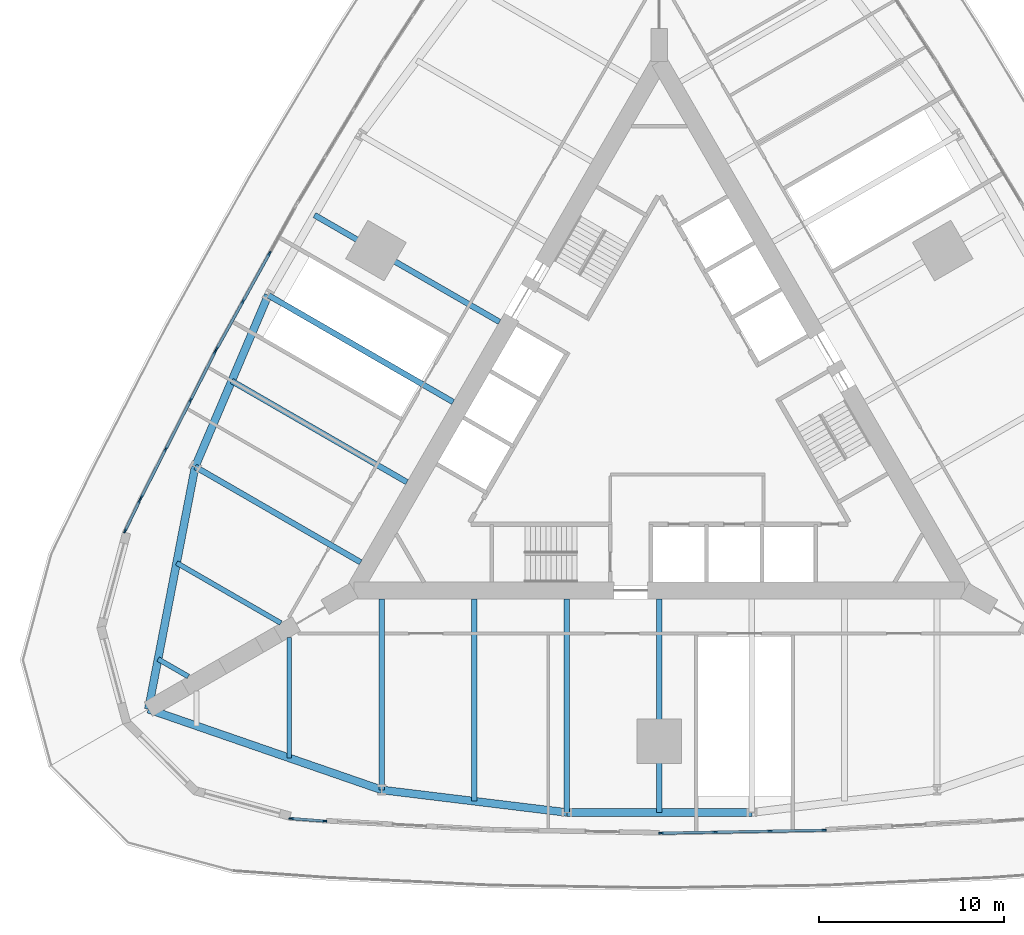
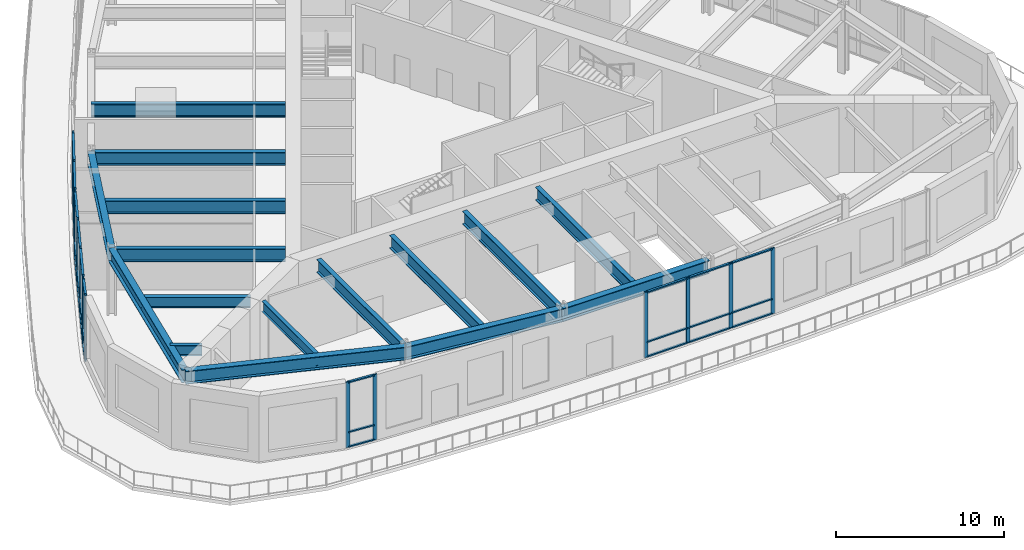
# One storey, part 2 of 13: 45 members, 16 beams, 5 elements without a shape of their own.
"""IFC4 building model written with IfcOpenShell, lengths in metres."""

import ifcopenshell
import ifcopenshell.guid

model = None  # the IFC model being written
_history = None  # IfcOwnerHistory: only IFC2X3 demands one
_inside = {}  # id of a spatial element -> (the spatial element, [elements in it])
_under = {}  # id of a project, library or spatial element -> (it, [spatial elements below it])
_declared = {}  # id of a project -> (the project, [libraries it declares])
_typed = {}  # id of a type object -> (the type object, [elements of that type])
_made_of = {}  # id of a material, layer set ... -> (it, [elements and type objects made of it])


def new_model(schema):
    """Start an empty IFC model of exactly this schema.

    Asked for "IFC4X3", IfcOpenShell would pick the latest addendum, in which some entities
    have other attributes; the version numbers below select the first issue.
    IFC2X3 requires an IfcOwnerHistory on every rooted entity: one is made here for all.
    """
    global model, _history
    if schema == "IFC4X3":
        model = ifcopenshell.file(schema_version=(4, 3, 0, 0))
    else:
        model = ifcopenshell.file(schema=schema)
    _inside.clear()
    _under.clear()
    _declared.clear()
    _typed.clear()
    _made_of.clear()
    _history = None
    if model.schema == "IFC2X3":
        org = make("IfcOrganization", Name="unknown")
        user = make(
            "IfcPersonAndOrganization",
            ThePerson=make("IfcPerson", FamilyName="unknown"),
            TheOrganization=org,
        )
        app = make(
            "IfcApplication",
            ApplicationDeveloper=org,
            Version="unknown",
            ApplicationFullName="unknown",
            ApplicationIdentifier="unknown",
        )
        _history = make(
            "IfcOwnerHistory",
            OwningUser=user,
            OwningApplication=app,
            ChangeAction="ADDED",
            CreationDate=0,
        )
    return model


def make(cls, **values):
    """One entity of the class cls with the attributes given. An attribute that is None is left unset."""
    return model.create_entity(
        cls, **{name: value for name, value in values.items() if value is not None}
    )


def rooted(cls, **values):
    """An entity with a GlobalId (a new one), such as an element, a storey or a relation."""
    return make(cls, GlobalId=ifcopenshell.guid.new(), OwnerHistory=_history, **values)


def si_unit(unit_type, name, prefix=None):
    """IfcSIUnit, for example si_unit("LENGTHUNIT", "METRE", prefix="MILLI")."""
    return make("IfcSIUnit", UnitType=unit_type, Prefix=prefix, Name=name)


def assignment(units):
    """IfcUnitAssignment: the units of a project."""
    return None if units is None else make("IfcUnitAssignment", Units=units)


def point(xyz):
    """IfcCartesianPoint."""
    return None if xyz is None else make("IfcCartesianPoint", Coordinates=xyz)


def direction(xyz):
    """IfcDirection."""
    return None if xyz is None else make("IfcDirection", DirectionRatios=xyz)


def frame(location, z_axis=None, x_axis=None):
    """IfcAxis2Placement3D, a coordinate frame: its origin and axes. An axis left out is left unset."""
    return make(
        "IfcAxis2Placement3D",
        Location=point(location),
        Axis=direction(z_axis),
        RefDirection=direction(x_axis),
    )


def frame_2d(location, x_axis=None):
    """IfcAxis2Placement2D, a coordinate frame in the plane: its origin and x axis."""
    return make(
        "IfcAxis2Placement2D", Location=point(location), RefDirection=direction(x_axis)
    )


def origin():
    """The frame at (0, 0, 0) with its axes left unset."""
    return frame((0.0, 0.0, 0.0))


def origin_2d():
    """The frame at (0, 0) in the plane with its x axis left unset."""
    return frame_2d((0.0, 0.0))


def place(relative_to, where):
    """IfcLocalPlacement: puts the frame where relative to a parent placement (None: the world)."""
    return make(
        "IfcLocalPlacement", PlacementRelTo=relative_to, RelativePlacement=where
    )


def context(
    kind, dimensions, precision=None, world=None, true_north=None, identifier=None
):
    """IfcGeometricRepresentationContext, for example the 3D "Model" context."""
    return make(
        "IfcGeometricRepresentationContext",
        ContextIdentifier=identifier,
        ContextType=kind,
        CoordinateSpaceDimension=dimensions,
        Precision=precision,
        WorldCoordinateSystem=world,
        TrueNorth=true_north,
    )


def subcontext(parent, identifier, kind, view, scale=None):
    """IfcGeometricRepresentationSubContext, for example "Body" below "Model"."""
    return make(
        "IfcGeometricRepresentationSubContext",
        ContextIdentifier=identifier,
        ContextType=kind,
        ParentContext=parent,
        TargetScale=scale,
        TargetView=view,
    )


def project(units=None, contexts=None):
    """IfcProject with its units and contexts."""
    return rooted(
        "IfcProject",
        Name="project",
        RepresentationContexts=contexts,
        UnitsInContext=assignment(units),
    )


def spatial(cls, under=None, at=None, **own):
    """A site, building, storey or space (cls), placed at a placement, below another one or the project."""
    s = rooted(cls, ObjectPlacement=at, **own)
    if under is not None:
        _under.setdefault(under.id(), (under, []))[1].append(s)
    return s


def profile(cls, at=None, kind="AREA", **sizes):
    """A parametric profile (cls). Its sizes go by their IFC names, for example OverallWidth=200.0."""
    return make(cls, ProfileType=kind, Position=at, **sizes)


def rectangle(**sizes):
    """IfcRectangleProfileDef."""
    return profile("IfcRectangleProfileDef", **sizes)


def i_section(**sizes):
    """IfcIShapeProfileDef."""
    return profile("IfcIShapeProfileDef", **sizes)


def extrude(swept, where, along, depth):
    """IfcExtrudedAreaSolid: the profile swept, set in the frame where, extruded along a direction by depth."""
    return make(
        "IfcExtrudedAreaSolid",
        SweptArea=swept,
        Position=where,
        ExtrudedDirection=direction(along),
        Depth=depth,
    )


def shape(context_of_items, identifier, shape_type, items):
    """IfcShapeRepresentation: the items that make up one representation, for example the "Body"."""
    return make(
        "IfcShapeRepresentation",
        ContextOfItems=context_of_items,
        RepresentationIdentifier=identifier,
        RepresentationType=shape_type,
        Items=items,
    )


def material(Name=None, Category=None):
    """IfcMaterial."""
    return make("IfcMaterial", Name=Name, Category=Category)


def material_profile(
    of_material, cross_section, Name=None, Category=None, Priority=None
):
    """IfcMaterialProfile: a cross section and its material."""
    return make(
        "IfcMaterialProfile",
        Name=Name,
        Material=of_material,
        Profile=cross_section,
        Priority=Priority,
        Category=Category,
    )


def profile_set(profiles, Name=None, composite=None):
    """IfcMaterialProfileSet."""
    return make(
        "IfcMaterialProfileSet",
        Name=Name,
        MaterialProfiles=profiles,
        CompositeProfile=composite,
    )


def made_of(thing, what):
    """Note that an element or type object is made of a material, layer set ...; save() writes the relation."""
    if what is not None:
        _made_of.setdefault(what.id(), (what, []))[1].append(thing)
    return thing


def type_object(cls, material=None, **own):
    """A type object (cls), such as IfcWallType, which elements share."""
    return made_of(rooted(cls, **own), material)


def element(
    cls,
    number,
    at=None,
    inside=None,
    cuts=None,
    type_object=None,
    material=None,
    context=None,
    identifier="Body",
    shape_type=None,
    held_by="IfcProductDefinitionShape",
    body=None,
    shapes=None,
    **own,
):
    """One element of the class cls, such as IfcWall. Its Tag is "e" and its number.

    at: its placement. inside: the storey or other place that contains it. cuts: it is an
    opening in that element (IfcRelVoidsElement). A single representation is given by context,
    identifier, shape_type and body (its items); several are given by shapes. held_by: the class
    of the entity that holds the representations. save() writes the other relations.
    """
    e = rooted(cls, Tag="e%d" % number, ObjectPlacement=at, **own)
    if body is not None:
        shapes = [shape(context, identifier, shape_type, body)]
    if shapes is not None:
        e.Representation = make(held_by, Representations=shapes)
    if inside is not None:
        _inside.setdefault(inside.id(), (inside, []))[1].append(e)
    if cuts is not None:
        rooted(
            "IfcRelVoidsElement", RelatingBuildingElement=cuts, RelatedOpeningElement=e
        )
    if type_object is not None:
        _typed.setdefault(type_object.id(), (type_object, []))[1].append(e)
    return made_of(e, material)


def aggregate(whole, parts):
    """IfcRelAggregates: a whole, such as a stair, and the parts it consists of."""
    return rooted("IfcRelAggregates", RelatingObject=whole, RelatedObjects=parts)


def save(model, path):
    """Write the relations noted so far, then the file.

    IfcRelAggregates (storeys below a building ...), IfcRelContainedInSpatialStructure (elements
    in a storey), IfcRelDefinesByType, IfcRelAssociatesMaterial and IfcRelDeclares: one each for
    every whole, place, type object, material and project.
    """
    for whole, parts in _under.values():
        aggregate(whole, parts)
    for where, things in _inside.values():
        rooted(
            "IfcRelContainedInSpatialStructure",
            RelatedElements=things,
            RelatingStructure=where,
        )
    for kind, things in _typed.values():
        rooted("IfcRelDefinesByType", RelatedObjects=things, RelatingType=kind)
    for what, things in _made_of.values():
        rooted("IfcRelAssociatesMaterial", RelatedObjects=things, RelatingMaterial=what)
    for by, libraries in _declared.values():
        rooted("IfcRelDeclares", RelatingContext=by, RelatedDefinitions=libraries)
    model.write(path)


model = new_model("IFC4")

# Units and contexts
model_context = context("Model", 3, precision=1e-05, world=origin(), true_north=direction((0.0, 1.0)))
body_context = subcontext(model_context, "Body", "Model", "MODEL_VIEW")
ifc_project = project(units=[si_unit("LENGTHUNIT", "METRE"), si_unit("AREAUNIT", "SQUARE_METRE"), si_unit("VOLUMEUNIT", "CUBIC_METRE"), si_unit("PLANEANGLEUNIT", "RADIAN"), si_unit("MASSUNIT", "GRAM", prefix="KILO")], contexts=[model_context])

# Site, building, storey
site_placement = place(None, origin())
site = spatial("IfcSite", under=ifc_project, at=site_placement, CompositionType="ELEMENT")
building_placement = place(site_placement, origin())
building = spatial("IfcBuilding", under=site, at=building_placement, Name="Trikona Tower", CompositionType="ELEMENT")
storey_placement = place(building_placement, frame((0.0, 0.0, 17.5)))
storey = spatial("IfcBuildingStorey", under=building, at=storey_placement, Name="L03", CompositionType="ELEMENT", Elevation=17.5)

# Curtain wall, members
ifc_material_1 = material(Name="Aluminium curtain wall system", Category="aluminium")
curtain_wall_type = type_object("IfcCurtainWallType", Name="Curtain wall PD", PredefinedType="NOTDEFINED", material=ifc_material_1)
curtain_wall_1_placement = place(storey_placement, origin())
curtain_wall_1 = element("IfcCurtainWall", 1, at=curtain_wall_1_placement, inside=storey, type_object=curtain_wall_type, Name="Curtain wall PD L03", PredefinedType="NOTDEFINED")
ifc_material_2 = material(Name="Aluminium mullion, pale anodised", Category="aluminium")
ifc_material_profile_1 = material_profile(ifc_material_2, rectangle(XDim=0.090087890625, YDim=0.25, at=origin_2d()), Name="MUL-PD")
ifc_profile_set_1 = profile_set([ifc_material_profile_1], Name="Aluminium mullion, pale anodised")
member_type_1 = type_object("IfcMemberType", Name="Mullion PD 90x250", PredefinedType="MULLION", material=ifc_profile_set_1)
member_1_placement = place(storey_placement, frame((-19.8876953125, -21.847412109375, 0.0), z_axis=(0.0, 0.0, 1.0), x_axis=(0.075775975095, 0.997124867606, 0.0)))
member_1 = element("IfcMember", 2, at=member_1_placement, type_object=member_type_1, Name="CW-PD mullion 1", PredefinedType="MULLION", context=body_context, shape_type="SweptSolid", body=[
    extrude(rectangle(XDim=0.090087890625, YDim=0.25, at=origin_2d()), origin(), (0.0, 0.0, 1.0), 4.75),
])
member_2_placement = place(storey_placement, frame((-18.09716796875, -21.983642578125, 0.0), z_axis=(0.0, 0.0, 1.0), x_axis=(0.075775975095, 0.997124867606, 0.0)))
member_2 = element("IfcMember", 3, at=member_2_placement, type_object=member_type_1, Name="CW-PD mullion 2", PredefinedType="MULLION", context=body_context, shape_type="SweptSolid", body=[
    extrude(rectangle(XDim=0.090087890625, YDim=0.25, at=origin_2d()), origin(), (0.0, 0.0, 1.0), 4.75),
])

curtain_wall_2_placement = place(storey_placement, origin())
curtain_wall_2 = element("IfcCurtainWall", 4, at=curtain_wall_2_placement, inside=storey, type_object=curtain_wall_type, Name="Curtain wall PD L03", PredefinedType="NOTDEFINED")
member_3_placement = place(storey_placement, frame((0.103271484375, -22.637451171875, 0.0), z_axis=(0.0, 0.0, 1.0), x_axis=(-0.017992582385, 0.999838120387, 0.0)))
member_3 = element("IfcMember", 5, at=member_3_placement, type_object=member_type_1, Name="CW-PD mullion 1", PredefinedType="MULLION", context=body_context, shape_type="SweptSolid", body=[
    extrude(rectangle(XDim=0.090087890625, YDim=0.25, at=origin_2d()), origin(), (0.0, 0.0, 1.0), 4.75),
])
member_4_placement = place(storey_placement, frame((3.018310546875, -22.5849609375, 0.0), z_axis=(0.0, 0.0, 1.0), x_axis=(-0.017992582385, 0.999838120387, 0.0)))
member_4 = element("IfcMember", 6, at=member_4_placement, type_object=member_type_1, Name="CW-PD mullion 2", PredefinedType="MULLION", context=body_context, shape_type="SweptSolid", body=[
    extrude(rectangle(XDim=0.090087890625, YDim=0.25, at=origin_2d()), origin(), (0.0, 0.0, 1.0), 4.75),
])
member_5_placement = place(storey_placement, frame((5.978271484375, -22.53173828125, 0.0), z_axis=(0.0, 0.0, 1.0), x_axis=(-0.017992582385, 0.999838120387, 0.0)))
member_5 = element("IfcMember", 7, at=member_5_placement, type_object=member_type_1, Name="CW-PD mullion 3", PredefinedType="MULLION", context=body_context, shape_type="SweptSolid", body=[
    extrude(rectangle(XDim=0.090087890625, YDim=0.25, at=origin_2d()), origin(), (0.0, 0.0, 1.0), 4.75),
])
member_6_placement = place(storey_placement, frame((8.893310546875, -22.479248046875, 0.0), z_axis=(0.0, 0.0, 1.0), x_axis=(-0.017992582385, 0.999838120387, 0.0)))
member_6 = element("IfcMember", 8, at=member_6_placement, type_object=member_type_1, Name="CW-PD mullion 4", PredefinedType="MULLION", context=body_context, shape_type="SweptSolid", body=[
    extrude(rectangle(XDim=0.090087890625, YDim=0.25, at=origin_2d()), origin(), (0.0, 0.0, 1.0), 4.75),
])

curtain_wall_3_placement = place(storey_placement, origin())
curtain_wall_3 = element("IfcCurtainWall", 9, at=curtain_wall_3_placement, inside=storey, type_object=curtain_wall_type, Name="Curtain wall PD L03", PredefinedType="NOTDEFINED")
member_7_placement = place(storey_placement, frame((-21.068359375, 8.6787109375, 0.0), z_axis=(0.0, 0.0, 1.0), x_axis=(0.874884432916, -0.484331734497, 0.0)))
member_7 = element("IfcMember", 10, at=member_7_placement, type_object=member_type_1, Name="CW-PD mullion 2", PredefinedType="MULLION", context=body_context, shape_type="SweptSolid", body=[
    extrude(rectangle(XDim=0.090087890625, YDim=0.25, at=origin_2d()), origin(), (0.0, 0.0, 1.0), 4.75),
])
member_8_placement = place(storey_placement, frame((-22.502197265625, 6.088623046875, 0.0), z_axis=(0.0, 0.0, 1.0), x_axis=(0.874884432916, -0.484331734497, 0.0)))
member_8 = element("IfcMember", 11, at=member_8_placement, type_object=member_type_1, Name="CW-PD mullion 3", PredefinedType="MULLION", context=body_context, shape_type="SweptSolid", body=[
    extrude(rectangle(XDim=0.090087890625, YDim=0.25, at=origin_2d()), origin(), (0.0, 0.0, 1.0), 4.75),
])
member_9_placement = place(storey_placement, frame((-23.914306640625, 3.537841796875, 0.0), z_axis=(0.0, 0.0, 1.0), x_axis=(0.874884432916, -0.484331734497, 0.0)))
member_9 = element("IfcMember", 12, at=member_9_placement, type_object=member_type_1, Name="CW-PD mullion 4", PredefinedType="MULLION", context=body_context, shape_type="SweptSolid", body=[
    extrude(rectangle(XDim=0.090087890625, YDim=0.25, at=origin_2d()), origin(), (0.0, 0.0, 1.0), 4.75),
])

curtain_wall_4_placement = place(storey_placement, origin())
curtain_wall_4 = element("IfcCurtainWall", 13, at=curtain_wall_4_placement, inside=storey, type_object=curtain_wall_type, Name="Curtain wall PD L03", PredefinedType="NOTDEFINED")
member_10_placement = place(storey_placement, frame((-24.010986328125, 3.35546875, 0.0), z_axis=(0.0, 0.0, 1.0), x_axis=(0.891725837511, -0.45257599441, 0.0)))
member_10 = element("IfcMember", 14, at=member_10_placement, type_object=member_type_1, Name="CW-PD mullion 1", PredefinedType="MULLION", context=body_context, shape_type="SweptSolid", body=[
    extrude(rectangle(XDim=0.090087890625, YDim=0.25, at=origin_2d()), origin(), (0.0, 0.0, 1.0), 4.75),
])
member_11_placement = place(storey_placement, frame((-25.33203125, 0.752197265625, 0.0), z_axis=(0.0, 0.0, 1.0), x_axis=(0.891725837511, -0.45257599441, 0.0)))
member_11 = element("IfcMember", 15, at=member_11_placement, type_object=member_type_1, Name="CW-PD mullion 2", PredefinedType="MULLION", context=body_context, shape_type="SweptSolid", body=[
    extrude(rectangle(XDim=0.090087890625, YDim=0.25, at=origin_2d()), origin(), (0.0, 0.0, 1.0), 4.75),
])
member_12_placement = place(storey_placement, frame((-26.673583984375, -1.89111328125, 0.0), z_axis=(0.0, 0.0, 1.0), x_axis=(0.891725837511, -0.45257599441, 0.0)))
member_12 = element("IfcMember", 16, at=member_12_placement, type_object=member_type_1, Name="CW-PD mullion 3", PredefinedType="MULLION", context=body_context, shape_type="SweptSolid", body=[
    extrude(rectangle(XDim=0.090087890625, YDim=0.25, at=origin_2d()), origin(), (0.0, 0.0, 1.0), 4.75),
])
member_13_placement = place(storey_placement, frame((-27.994873046875, -4.494384765625, 0.0), z_axis=(0.0, 0.0, 1.0), x_axis=(0.891725837511, -0.45257599441, 0.0)))
member_13 = element("IfcMember", 17, at=member_13_placement, type_object=member_type_1, Name="CW-PD mullion 4", PredefinedType="MULLION", context=body_context, shape_type="SweptSolid", body=[
    extrude(rectangle(XDim=0.090087890625, YDim=0.25, at=origin_2d()), origin(), (0.0, 0.0, 1.0), 4.75),
])

curtain_wall_5_placement = place(storey_placement, origin())
curtain_wall_5 = element("IfcCurtainWall", 18, at=curtain_wall_5_placement, inside=storey, type_object=curtain_wall_type, Name="Curtain wall PD L03", PredefinedType="NOTDEFINED")
member_14_placement = place(storey_placement, frame((-28.0869140625, -4.6806640625, 0.0), z_axis=(0.0, 0.0, 1.0), x_axis=(0.901409662758, -0.432967227267, 0.0)))
member_14 = element("IfcMember", 19, at=member_14_placement, type_object=member_type_1, Name="CW-PD mullion 1", PredefinedType="MULLION", context=body_context, shape_type="SweptSolid", body=[
    extrude(rectangle(XDim=0.090087890625, YDim=0.25, at=origin_2d()), origin(), (0.0, 0.0, 1.0), 4.75),
])
member_15_placement = place(storey_placement, frame((-28.864501953125, -6.299560546875, 0.0), z_axis=(0.0, 0.0, 1.0), x_axis=(0.901409662758, -0.432967227267, 0.0)))
member_15 = element("IfcMember", 20, at=member_15_placement, type_object=member_type_1, Name="CW-PD mullion 2", PredefinedType="MULLION", context=body_context, shape_type="SweptSolid", body=[
    extrude(rectangle(XDim=0.090087890625, YDim=0.25, at=origin_2d()), origin(), (0.0, 0.0, 1.0), 4.75),
])

# Beams
ifc_material_3 = material(Name="Steel ASTM A992 Grade 50", Category="steel")
ifc_material_profile_2 = material_profile(ifc_material_3, i_section(OverallWidth=0.2666015625, OverallDepth=0.76953125, WebThickness=0.015625, FlangeThickness=0.025390625, at=origin_2d()), Name="W30X132")
ifc_profile_set_2 = profile_set([ifc_material_profile_2], Name="Steel ASTM A992 Grade 50")
beam_type_1 = type_object("IfcBeamType", Name="Steel beam W30x132 (wedge)", PredefinedType="BEAM", material=ifc_profile_set_2)
for number, where, z_axis, x_axis, name in (
    (21, (-20.0, -12.066650390625, 4.365234375), (0.0, -1.0, 0.0), (1.0, 0.0, 0.0), "Floor beam L04 F1 u-20"),
    (22, (-20.449951171875, -11.287109375, 4.365234375), (-0.866022504693, 0.50000502134, 0.0), (-0.50000502134, -0.866022504693, 0.0), "Floor beam L04 F3 u20"),
):
    element("IfcBeam", number, at=place(storey_placement, frame(where, z_axis=z_axis, x_axis=x_axis)), inside=storey, type_object=beam_type_1, Name=name, PredefinedType="BEAM", context=body_context, shape_type="SweptSolid", body=[
        extrude(i_section(OverallWidth=0.2666015625, OverallDepth=0.76953125, WebThickness=0.015625, FlangeThickness=0.025390625, at=origin_2d()), origin(), (0.0, 0.0, 1.0), 6.5068359375),
    ])
beam_1_placement = place(storey_placement, frame((-25.449951171875, -14.173828125, 4.365234375), z_axis=(-0.866065156741, 0.499931139538, 0.0), x_axis=(-0.499931139538, -0.866065156741, 0.0)))
element("IfcBeam", 23, at=beam_1_placement, inside=storey, type_object=beam_type_1, Name="Floor beam L04 F3 u25", PredefinedType="BEAM", context=body_context, shape_type="SweptSolid", body=[
    extrude(i_section(OverallWidth=0.2666015625, OverallDepth=0.76953125, WebThickness=0.015625, FlangeThickness=0.025390625, at=origin_2d()), origin(), (0.0, 0.0, 1.0), 1.890380859375),
])
ifc_material_4 = material(Name="Steel ASTM A992 Grade 50", Category="steel")
ifc_material_profile_3 = material_profile(ifc_material_4, i_section(OverallWidth=0.307373046875, OverallDepth=0.9423828125, WebThickness=0.022216796875, FlangeThickness=0.039794921875, at=origin_2d()), Name="W36X232")
ifc_profile_set_3 = profile_set([ifc_material_profile_3], Name="Steel ASTM A992 Grade 50")
beam_type_2 = type_object("IfcBeamType", Name="Steel beam W36x232 (radial low)", PredefinedType="BEAM", material=ifc_profile_set_3)
beam_2_placement = place(storey_placement, frame((-15.0, -9.976318359375, 4.27880859375), z_axis=(0.0, -1.0, 0.0), x_axis=(1.0, 0.0, 0.0)))
element("IfcBeam", 24, at=beam_2_placement, inside=storey, type_object=beam_type_2, Name="Floor beam L04 F1 u-15", PredefinedType="BEAM", context=body_context, shape_type="SweptSolid", body=[
    extrude(i_section(OverallWidth=0.307373046875, OverallDepth=0.9423828125, WebThickness=0.022216796875, FlangeThickness=0.039794921875, at=origin_2d()), origin(), (0.0, 0.0, 1.0), 10.32666015625),
])
beam_3_placement = place(storey_placement, frame((-10.0, -9.976318359375, 4.27880859375), z_axis=(0.0, -1.0, 0.0), x_axis=(1.0, 0.0, 0.0)))
element("IfcBeam", 25, at=beam_3_placement, inside=storey, type_object=beam_type_2, Name="Floor beam L04 F1 u-10", PredefinedType="BEAM", context=body_context, shape_type="SweptSolid", body=[
    extrude(i_section(OverallWidth=0.307373046875, OverallDepth=0.9423828125, WebThickness=0.022216796875, FlangeThickness=0.039794921875, at=origin_2d()), origin(), (0.0, 0.0, 1.0), 10.935302734375),
])
for number, where, z_axis, x_axis, name in (
    (26, (-5.0, -9.976318359375, 4.27880859375), (0.0, -1.0, 0.0), (1.0, 0.0, 0.0), "Floor beam L04 F1 u-5"),
    (27, (0.0, -9.976318359375, 4.27880859375), (0.0, -1.0, 0.0), (1.0, 0.0, 0.0), "Floor beam L04 F1 u0"),
    (28, (-8.6396484375, 4.988037109375, 4.27880859375), (-0.866020765707, 0.500008033299, 0.0), (-0.500008033299, -0.866020765707, 0.0), "Floor beam L04 F3 u0"),
    (29, (-11.1396484375, 0.657958984375, 4.27880859375), (-0.866020765707, 0.500008033299, 0.0), (-0.500008033299, -0.866020765707, 0.0), "Floor beam L04 F3 u5"),
):
    element("IfcBeam", number, at=place(storey_placement, frame(where, z_axis=z_axis, x_axis=x_axis)), inside=storey, type_object=beam_type_2, Name=name, PredefinedType="BEAM", context=body_context, shape_type="SweptSolid", body=[
        extrude(i_section(OverallWidth=0.307373046875, OverallDepth=0.9423828125, WebThickness=0.022216796875, FlangeThickness=0.039794921875, at=origin_2d()), origin(), (0.0, 0.0, 1.0), 11.544189453125),
    ])
beam_4_placement = place(storey_placement, frame((-13.6396484375, -3.672119140625, 4.27880859375), z_axis=(-0.866025348605, 0.500000095573, 0.0), x_axis=(-0.500000095573, -0.866025348605, 0.0)))
element("IfcBeam", 30, at=beam_4_placement, inside=storey, type_object=beam_type_2, Name="Floor beam L04 F3 u10", PredefinedType="BEAM", context=body_context, shape_type="SweptSolid", body=[
    extrude(i_section(OverallWidth=0.307373046875, OverallDepth=0.9423828125, WebThickness=0.022216796875, FlangeThickness=0.039794921875, at=origin_2d()), origin(), (0.0, 0.0, 1.0), 10.935546875),
])
beam_5_placement = place(storey_placement, frame((-16.1396484375, -8.002197265625, 4.27880859375), z_axis=(-0.866030471684, 0.499991222037, 0.0), x_axis=(-0.499991222037, -0.866030471684, 0.0)))
element("IfcBeam", 31, at=beam_5_placement, inside=storey, type_object=beam_type_2, Name="Floor beam L04 F3 u15", PredefinedType="BEAM", context=body_context, shape_type="SweptSolid", body=[
    extrude(i_section(OverallWidth=0.307373046875, OverallDepth=0.9423828125, WebThickness=0.022216796875, FlangeThickness=0.039794921875, at=origin_2d()), origin(), (0.0, 0.0, 1.0), 10.326904296875),
])
ifc_material_5 = material(Name="Steel ASTM A992 Grade 50", Category="steel")
ifc_material_profile_4 = material_profile(ifc_material_5, i_section(OverallWidth=0.424072265625, OverallDepth=0.947509765625, WebThickness=0.02392578125, FlangeThickness=0.042724609375, at=origin_2d()), Name="W36X302")
ifc_profile_set_4 = profile_set([ifc_material_profile_4], Name="Steel ASTM A992 Grade 50")
beam_type_3 = type_object("IfcBeamType", Name="Steel beam W36x302 (pod tower spandrel)", PredefinedType="BEAM", material=ifc_profile_set_4)
beam_6_placement = place(storey_placement, frame((-27.6103515625, -15.94091796875, 4.2763671875), z_axis=(0.945056965739, -0.326905692071, 0.0), x_axis=(0.326905692071, 0.945056965739, 0.0)))
element("IfcBeam", 32, at=beam_6_placement, inside=storey, type_object=beam_type_3, Name="Spandrel beam L04 F1-1", PredefinedType="BEAM", context=body_context, shape_type="SweptSolid", body=[
    extrude(i_section(OverallWidth=0.424072265625, OverallDepth=0.947509765625, WebThickness=0.02392578125, FlangeThickness=0.042724609375, at=origin_2d()), origin(), (0.0, 0.0, 1.0), 13.343505859375),
])
beam_7_placement = place(storey_placement, frame((-15.0, -20.302978515625, 4.2763671875), z_axis=(0.99266951126, -0.120860421207, 0.0), x_axis=(0.120860421207, 0.99266951126, 0.0)))
element("IfcBeam", 33, at=beam_7_placement, inside=storey, type_object=beam_type_3, Name="Spandrel beam L04 F1-2", PredefinedType="BEAM", context=body_context, shape_type="SweptSolid", body=[
    extrude(i_section(OverallWidth=0.424072265625, OverallDepth=0.947509765625, WebThickness=0.02392578125, FlangeThickness=0.042724609375, at=origin_2d()), origin(), (0.0, 0.0, 1.0), 10.07373046875),
])
beam_8_placement = place(storey_placement, frame((-5.0, -21.5205078125, 4.2763671875), z_axis=(1.0, 0.0, 0.0), x_axis=(0.0, 1.0, 0.0)))
element("IfcBeam", 34, at=beam_8_placement, inside=storey, type_object=beam_type_3, Name="Spandrel beam L04 F1-3", PredefinedType="BEAM", context=body_context, shape_type="SweptSolid", body=[
    extrude(i_section(OverallWidth=0.424072265625, OverallDepth=0.947509765625, WebThickness=0.02392578125, FlangeThickness=0.042724609375, at=origin_2d()), origin(), (0.0, 0.0, 1.0), 10.0),
])
beam_9_placement = place(storey_placement, frame((-21.13720703125, 6.43017578125, 4.2763671875), z_axis=(-0.391683514847, -0.920100007715, 0.0), x_axis=(0.920100007715, -0.391683514847, 0.0)))
element("IfcBeam", 35, at=beam_9_placement, inside=storey, type_object=beam_type_3, Name="Spandrel beam L04 F3-4", PredefinedType="BEAM", context=body_context, shape_type="SweptSolid", body=[
    extrude(i_section(OverallWidth=0.424072265625, OverallDepth=0.947509765625, WebThickness=0.02392578125, FlangeThickness=0.042724609375, at=origin_2d()), origin(), (0.0, 0.0, 1.0), 10.073974609375),
])
beam_10_placement = place(storey_placement, frame((-25.0830078125, -2.8388671875, 4.2763671875), z_axis=(-0.189405184036, -0.981899015307, 0.0), x_axis=(0.981899015307, -0.189405184036, 0.0)))
element("IfcBeam", 36, at=beam_10_placement, inside=storey, type_object=beam_type_3, Name="Spandrel beam L04 F3-5", PredefinedType="BEAM", context=body_context, shape_type="SweptSolid", body=[
    extrude(i_section(OverallWidth=0.424072265625, OverallDepth=0.947509765625, WebThickness=0.02392578125, FlangeThickness=0.042724609375, at=origin_2d()), origin(), (0.0, 0.0, 1.0), 13.343505859375),
])

# Member
ifc_material_6 = material(Name="Aluminium transom, pale anodised", Category="aluminium")
ifc_material_profile_5 = material_profile(ifc_material_6, rectangle(XDim=0.14990234375, YDim=0.090087890625, at=origin_2d()), Name="TRN-PD")
ifc_profile_set_5 = profile_set([ifc_material_profile_5], Name="Aluminium transom, pale anodised")
member_type_2 = type_object("IfcMemberType", Name="Transom PD 90x150", PredefinedType="USERDEFINED", material=ifc_profile_set_5)
member_16_placement = place(storey_placement, frame((-19.8427734375, -21.850830078125, 0.044921875), z_axis=(0.997118954425, -0.075853745636, 0.0), x_axis=(0.075853745636, 0.997118954425, 0.0)))
member_16 = element("IfcMember", 37, at=member_16_placement, type_object=member_type_2, Name="CW-PD transom 1.1", ObjectType="TRANSOM", PredefinedType="USERDEFINED", context=body_context, shape_type="SweptSolid", body=[
    extrude(rectangle(XDim=0.14990234375, YDim=0.090087890625, at=origin_2d()), origin(), (0.0, 0.0, 1.0), 1.705810546875),
])

member_17_placement = place(storey_placement, frame((-19.8427734375, -21.850830078125, 1.10009765625), z_axis=(0.997118954425, -0.075853745636, 0.0), x_axis=(0.075853745636, 0.997118954425, 0.0)))
member_17 = element("IfcMember", 38, at=member_17_placement, type_object=member_type_2, Name="CW-PD transom 1.2", ObjectType="TRANSOM", PredefinedType="USERDEFINED", context=body_context, shape_type="SweptSolid", body=[
    extrude(rectangle(XDim=0.14990234375, YDim=0.090087890625, at=origin_2d()), origin(), (0.0, 0.0, 1.0), 1.705810546875),
])

member_18_placement = place(storey_placement, frame((-19.8427734375, -21.850830078125, 4.705078125), z_axis=(0.997118954425, -0.075853745636, 0.0), x_axis=(0.075853745636, 0.997118954425, 0.0)))
member_18 = element("IfcMember", 39, at=member_18_placement, type_object=member_type_2, Name="CW-PD transom 1.3", ObjectType="TRANSOM", PredefinedType="USERDEFINED", context=body_context, shape_type="SweptSolid", body=[
    extrude(rectangle(XDim=0.14990234375, YDim=0.090087890625, at=origin_2d()), origin(), (0.0, 0.0, 1.0), 1.705810546875),
])

aggregate(curtain_wall_1, [member_1, member_2, member_16, member_17, member_18])

member_19_placement = place(storey_placement, frame((0.148193359375, -22.636474609375, 0.044921875), z_axis=(0.999838471318, 0.017973070783, 0.0), x_axis=(-0.017973070783, 0.999838471318, 0.0)))
member_19 = element("IfcMember", 40, at=member_19_placement, type_object=member_type_2, Name="CW-PD transom 1.1", ObjectType="TRANSOM", PredefinedType="USERDEFINED", context=body_context, shape_type="SweptSolid", body=[
    extrude(rectangle(XDim=0.14990234375, YDim=0.090087890625, at=origin_2d()), origin(), (0.0, 0.0, 1.0), 2.825439453125),
])

member_20_placement = place(storey_placement, frame((0.148193359375, -22.636474609375, 1.10009765625), z_axis=(0.999838471318, 0.017973070783, 0.0), x_axis=(-0.017973070783, 0.999838471318, 0.0)))
member_20 = element("IfcMember", 41, at=member_20_placement, type_object=member_type_2, Name="CW-PD transom 1.2", ObjectType="TRANSOM", PredefinedType="USERDEFINED", context=body_context, shape_type="SweptSolid", body=[
    extrude(rectangle(XDim=0.14990234375, YDim=0.090087890625, at=origin_2d()), origin(), (0.0, 0.0, 1.0), 2.825439453125),
])

member_21_placement = place(storey_placement, frame((0.148193359375, -22.636474609375, 4.705078125), z_axis=(0.999838471318, 0.017973070783, 0.0), x_axis=(-0.017973070783, 0.999838471318, 0.0)))
member_21 = element("IfcMember", 42, at=member_21_placement, type_object=member_type_2, Name="CW-PD transom 1.3", ObjectType="TRANSOM", PredefinedType="USERDEFINED", context=body_context, shape_type="SweptSolid", body=[
    extrude(rectangle(XDim=0.14990234375, YDim=0.090087890625, at=origin_2d()), origin(), (0.0, 0.0, 1.0), 2.825439453125),
])

member_22_placement = place(storey_placement, frame((3.063232421875, -22.584228515625, 0.044921875), z_axis=(0.999837411235, 0.018031946506, 0.0), x_axis=(-0.018031946506, 0.999837411235, 0.0)))
member_22 = element("IfcMember", 43, at=member_22_placement, type_object=member_type_2, Name="CW-PD transom 2.1", ObjectType="TRANSOM", PredefinedType="USERDEFINED", context=body_context, shape_type="SweptSolid", body=[
    extrude(rectangle(XDim=0.14990234375, YDim=0.090087890625, at=origin_2d()), origin(), (0.0, 0.0, 1.0), 2.870361328125),
])

member_23_placement = place(storey_placement, frame((3.063232421875, -22.584228515625, 1.10009765625), z_axis=(0.999837411235, 0.018031946506, 0.0), x_axis=(-0.018031946506, 0.999837411235, 0.0)))
member_23 = element("IfcMember", 44, at=member_23_placement, type_object=member_type_2, Name="CW-PD transom 2.2", ObjectType="TRANSOM", PredefinedType="USERDEFINED", context=body_context, shape_type="SweptSolid", body=[
    extrude(rectangle(XDim=0.14990234375, YDim=0.090087890625, at=origin_2d()), origin(), (0.0, 0.0, 1.0), 2.870361328125),
])

member_24_placement = place(storey_placement, frame((3.063232421875, -22.584228515625, 4.705078125), z_axis=(0.999837411235, 0.018031946506, 0.0), x_axis=(-0.018031946506, 0.999837411235, 0.0)))
member_24 = element("IfcMember", 45, at=member_24_placement, type_object=member_type_2, Name="CW-PD transom 2.3", ObjectType="TRANSOM", PredefinedType="USERDEFINED", context=body_context, shape_type="SweptSolid", body=[
    extrude(rectangle(XDim=0.14990234375, YDim=0.090087890625, at=origin_2d()), origin(), (0.0, 0.0, 1.0), 2.870361328125),
])

member_25_placement = place(storey_placement, frame((6.023193359375, -22.53076171875, 0.044921875), z_axis=(0.999838471318, 0.017973070783, 0.0), x_axis=(-0.017973070783, 0.999838471318, 0.0)))
member_25 = element("IfcMember", 46, at=member_25_placement, type_object=member_type_2, Name="CW-PD transom 3.1", ObjectType="TRANSOM", PredefinedType="USERDEFINED", context=body_context, shape_type="SweptSolid", body=[
    extrude(rectangle(XDim=0.14990234375, YDim=0.090087890625, at=origin_2d()), origin(), (0.0, 0.0, 1.0), 2.825439453125),
])

member_26_placement = place(storey_placement, frame((6.023193359375, -22.53076171875, 1.10009765625), z_axis=(0.999838471318, 0.017973070783, 0.0), x_axis=(-0.017973070783, 0.999838471318, 0.0)))
member_26 = element("IfcMember", 47, at=member_26_placement, type_object=member_type_2, Name="CW-PD transom 3.2", ObjectType="TRANSOM", PredefinedType="USERDEFINED", context=body_context, shape_type="SweptSolid", body=[
    extrude(rectangle(XDim=0.14990234375, YDim=0.090087890625, at=origin_2d()), origin(), (0.0, 0.0, 1.0), 2.825439453125),
])

member_27_placement = place(storey_placement, frame((6.023193359375, -22.53076171875, 4.705078125), z_axis=(0.999838471318, 0.017973070783, 0.0), x_axis=(-0.017973070783, 0.999838471318, 0.0)))
member_27 = element("IfcMember", 48, at=member_27_placement, type_object=member_type_2, Name="CW-PD transom 3.3", ObjectType="TRANSOM", PredefinedType="USERDEFINED", context=body_context, shape_type="SweptSolid", body=[
    extrude(rectangle(XDim=0.14990234375, YDim=0.090087890625, at=origin_2d()), origin(), (0.0, 0.0, 1.0), 2.825439453125),
])

aggregate(curtain_wall_2, [member_3, member_4, member_5, member_6, member_19, member_20, member_21, member_22, member_23, member_24, member_25, member_26, member_27])

member_28_placement = place(storey_placement, frame((-21.090087890625, 8.639404296875, 0.044921875), z_axis=(-0.484277519526, -0.874914443864, 0.0), x_axis=(0.874914443864, -0.484277519526, 0.0)))
member_28 = element("IfcMember", 49, at=member_28_placement, type_object=member_type_2, Name="CW-PD transom 2.1", ObjectType="TRANSOM", PredefinedType="USERDEFINED", context=body_context, shape_type="SweptSolid", body=[
    extrude(rectangle(XDim=0.14990234375, YDim=0.090087890625, at=origin_2d()), origin(), (0.0, 0.0, 1.0), 2.87060546875),
])

member_29_placement = place(storey_placement, frame((-21.090087890625, 8.639404296875, 1.10009765625), z_axis=(-0.484277519526, -0.874914443864, 0.0), x_axis=(0.874914443864, -0.484277519526, 0.0)))
member_29 = element("IfcMember", 50, at=member_29_placement, type_object=member_type_2, Name="CW-PD transom 2.2", ObjectType="TRANSOM", PredefinedType="USERDEFINED", context=body_context, shape_type="SweptSolid", body=[
    extrude(rectangle(XDim=0.14990234375, YDim=0.090087890625, at=origin_2d()), origin(), (0.0, 0.0, 1.0), 2.87060546875),
])

member_30_placement = place(storey_placement, frame((-21.090087890625, 8.639404296875, 4.705078125), z_axis=(-0.484277519526, -0.874914443864, 0.0), x_axis=(0.874914443864, -0.484277519526, 0.0)))
member_30 = element("IfcMember", 51, at=member_30_placement, type_object=member_type_2, Name="CW-PD transom 2.3", ObjectType="TRANSOM", PredefinedType="USERDEFINED", context=body_context, shape_type="SweptSolid", body=[
    extrude(rectangle(XDim=0.14990234375, YDim=0.090087890625, at=origin_2d()), origin(), (0.0, 0.0, 1.0), 2.87060546875),
])

member_31_placement = place(storey_placement, frame((-22.52392578125, 6.04931640625, 0.044921875), z_axis=(-0.484285176879, -0.874910205367, 0.0), x_axis=(0.874910205367, -0.484285176879, 0.0)))
member_31 = element("IfcMember", 52, at=member_31_placement, type_object=member_type_2, Name="CW-PD transom 3.1", ObjectType="TRANSOM", PredefinedType="USERDEFINED", context=body_context, shape_type="SweptSolid", body=[
    extrude(rectangle(XDim=0.14990234375, YDim=0.090087890625, at=origin_2d()), origin(), (0.0, 0.0, 1.0), 2.82568359375),
])

member_32_placement = place(storey_placement, frame((-22.52392578125, 6.04931640625, 1.10009765625), z_axis=(-0.484285176879, -0.874910205367, 0.0), x_axis=(0.874910205367, -0.484285176879, 0.0)))
member_32 = element("IfcMember", 53, at=member_32_placement, type_object=member_type_2, Name="CW-PD transom 3.2", ObjectType="TRANSOM", PredefinedType="USERDEFINED", context=body_context, shape_type="SweptSolid", body=[
    extrude(rectangle(XDim=0.14990234375, YDim=0.090087890625, at=origin_2d()), origin(), (0.0, 0.0, 1.0), 2.82568359375),
])

member_33_placement = place(storey_placement, frame((-22.52392578125, 6.04931640625, 4.705078125), z_axis=(-0.484285176879, -0.874910205367, 0.0), x_axis=(0.874910205367, -0.484285176879, 0.0)))
member_33 = element("IfcMember", 54, at=member_33_placement, type_object=member_type_2, Name="CW-PD transom 3.3", ObjectType="TRANSOM", PredefinedType="USERDEFINED", context=body_context, shape_type="SweptSolid", body=[
    extrude(rectangle(XDim=0.14990234375, YDim=0.090087890625, at=origin_2d()), origin(), (0.0, 0.0, 1.0), 2.82568359375),
])

aggregate(curtain_wall_3, [member_7, member_8, member_9, member_28, member_29, member_30, member_31, member_32, member_33])

member_34_placement = place(storey_placement, frame((-24.03125, 3.3154296875, 0.044921875), z_axis=(-0.452555152185, -0.891736415221, 0.0), x_axis=(0.891736415221, -0.452555152185, 0.0)))
member_34 = element("IfcMember", 55, at=member_34_placement, type_object=member_type_2, Name="CW-PD transom 1.1", ObjectType="TRANSOM", PredefinedType="USERDEFINED", context=body_context, shape_type="SweptSolid", body=[
    extrude(rectangle(XDim=0.14990234375, YDim=0.090087890625, at=origin_2d()), origin(), (0.0, 0.0, 1.0), 2.82958984375),
])

member_35_placement = place(storey_placement, frame((-24.03125, 3.3154296875, 1.10009765625), z_axis=(-0.452555152185, -0.891736415221, 0.0), x_axis=(0.891736415221, -0.452555152185, 0.0)))
member_35 = element("IfcMember", 56, at=member_35_placement, type_object=member_type_2, Name="CW-PD transom 1.2", ObjectType="TRANSOM", PredefinedType="USERDEFINED", context=body_context, shape_type="SweptSolid", body=[
    extrude(rectangle(XDim=0.14990234375, YDim=0.090087890625, at=origin_2d()), origin(), (0.0, 0.0, 1.0), 2.82958984375),
])

member_36_placement = place(storey_placement, frame((-24.03125, 3.3154296875, 4.705078125), z_axis=(-0.452555152185, -0.891736415221, 0.0), x_axis=(0.891736415221, -0.452555152185, 0.0)))
member_36 = element("IfcMember", 57, at=member_36_placement, type_object=member_type_2, Name="CW-PD transom 1.3", ObjectType="TRANSOM", PredefinedType="USERDEFINED", context=body_context, shape_type="SweptSolid", body=[
    extrude(rectangle(XDim=0.14990234375, YDim=0.090087890625, at=origin_2d()), origin(), (0.0, 0.0, 1.0), 2.82958984375),
])

member_37_placement = place(storey_placement, frame((-25.3525390625, 0.712158203125, 0.044921875), z_axis=(-0.452539631158, -0.891744291953, 0.0), x_axis=(0.891744291953, -0.452539631158, 0.0)))
member_37 = element("IfcMember", 58, at=member_37_placement, type_object=member_type_2, Name="CW-PD transom 2.1", ObjectType="TRANSOM", PredefinedType="USERDEFINED", context=body_context, shape_type="SweptSolid", body=[
    extrude(rectangle(XDim=0.14990234375, YDim=0.090087890625, at=origin_2d()), origin(), (0.0, 0.0, 1.0), 2.87451171875),
])

member_38_placement = place(storey_placement, frame((-25.3525390625, 0.712158203125, 1.10009765625), z_axis=(-0.452539631158, -0.891744291953, 0.0), x_axis=(0.891744291953, -0.452539631158, 0.0)))
member_38 = element("IfcMember", 59, at=member_38_placement, type_object=member_type_2, Name="CW-PD transom 2.2", ObjectType="TRANSOM", PredefinedType="USERDEFINED", context=body_context, shape_type="SweptSolid", body=[
    extrude(rectangle(XDim=0.14990234375, YDim=0.090087890625, at=origin_2d()), origin(), (0.0, 0.0, 1.0), 2.87451171875),
])

member_39_placement = place(storey_placement, frame((-25.3525390625, 0.712158203125, 4.705078125), z_axis=(-0.452539631158, -0.891744291953, 0.0), x_axis=(0.891744291953, -0.452539631158, 0.0)))
member_39 = element("IfcMember", 60, at=member_39_placement, type_object=member_type_2, Name="CW-PD transom 2.3", ObjectType="TRANSOM", PredefinedType="USERDEFINED", context=body_context, shape_type="SweptSolid", body=[
    extrude(rectangle(XDim=0.14990234375, YDim=0.090087890625, at=origin_2d()), origin(), (0.0, 0.0, 1.0), 2.87451171875),
])

member_40_placement = place(storey_placement, frame((-26.694091796875, -1.931396484375, 0.044921875), z_axis=(-0.452589974942, -0.891718741859, 0.0), x_axis=(0.891718741859, -0.452589974942, 0.0)))
member_40 = element("IfcMember", 61, at=member_40_placement, type_object=member_type_2, Name="CW-PD transom 3.1", ObjectType="TRANSOM", PredefinedType="USERDEFINED", context=body_context, shape_type="SweptSolid", body=[
    extrude(rectangle(XDim=0.14990234375, YDim=0.090087890625, at=origin_2d()), origin(), (0.0, 0.0, 1.0), 2.829345703125),
])

member_41_placement = place(storey_placement, frame((-26.694091796875, -1.931396484375, 1.10009765625), z_axis=(-0.452589974942, -0.891718741859, 0.0), x_axis=(0.891718741859, -0.452589974942, 0.0)))
member_41 = element("IfcMember", 62, at=member_41_placement, type_object=member_type_2, Name="CW-PD transom 3.2", ObjectType="TRANSOM", PredefinedType="USERDEFINED", context=body_context, shape_type="SweptSolid", body=[
    extrude(rectangle(XDim=0.14990234375, YDim=0.090087890625, at=origin_2d()), origin(), (0.0, 0.0, 1.0), 2.829345703125),
])

member_42_placement = place(storey_placement, frame((-26.694091796875, -1.931396484375, 4.705078125), z_axis=(-0.452589974942, -0.891718741859, 0.0), x_axis=(0.891718741859, -0.452589974942, 0.0)))
member_42 = element("IfcMember", 63, at=member_42_placement, type_object=member_type_2, Name="CW-PD transom 3.3", ObjectType="TRANSOM", PredefinedType="USERDEFINED", context=body_context, shape_type="SweptSolid", body=[
    extrude(rectangle(XDim=0.14990234375, YDim=0.090087890625, at=origin_2d()), origin(), (0.0, 0.0, 1.0), 2.829345703125),
])

aggregate(curtain_wall_4, [member_10, member_11, member_12, member_13, member_34, member_35, member_36, member_37, member_38, member_39, member_40, member_41, member_42])

member_43_placement = place(storey_placement, frame((-28.1064453125, -4.721435546875, 0.044921875), z_axis=(-0.432959051828, -0.901413589558, 0.0), x_axis=(0.901413589558, -0.432959051828, 0.0)))
member_43 = element("IfcMember", 64, at=member_43_placement, type_object=member_type_2, Name="CW-PD transom 1.1", ObjectType="TRANSOM", PredefinedType="USERDEFINED", context=body_context, shape_type="SweptSolid", body=[
    extrude(rectangle(XDim=0.14990234375, YDim=0.090087890625, at=origin_2d()), origin(), (0.0, 0.0, 1.0), 1.705810546875),
])

member_44_placement = place(storey_placement, frame((-28.1064453125, -4.721435546875, 1.10009765625), z_axis=(-0.432959051828, -0.901413589558, 0.0), x_axis=(0.901413589558, -0.432959051828, 0.0)))
member_44 = element("IfcMember", 65, at=member_44_placement, type_object=member_type_2, Name="CW-PD transom 1.2", ObjectType="TRANSOM", PredefinedType="USERDEFINED", context=body_context, shape_type="SweptSolid", body=[
    extrude(rectangle(XDim=0.14990234375, YDim=0.090087890625, at=origin_2d()), origin(), (0.0, 0.0, 1.0), 1.705810546875),
])

member_45_placement = place(storey_placement, frame((-28.1064453125, -4.721435546875, 4.705078125), z_axis=(-0.432959051828, -0.901413589558, 0.0), x_axis=(0.901413589558, -0.432959051828, 0.0)))
member_45 = element("IfcMember", 66, at=member_45_placement, type_object=member_type_2, Name="CW-PD transom 1.3", ObjectType="TRANSOM", PredefinedType="USERDEFINED", context=body_context, shape_type="SweptSolid", body=[
    extrude(rectangle(XDim=0.14990234375, YDim=0.090087890625, at=origin_2d()), origin(), (0.0, 0.0, 1.0), 1.705810546875),
])

aggregate(curtain_wall_5, [member_14, member_15, member_43, member_44, member_45])

save(model, "model.ifc")
